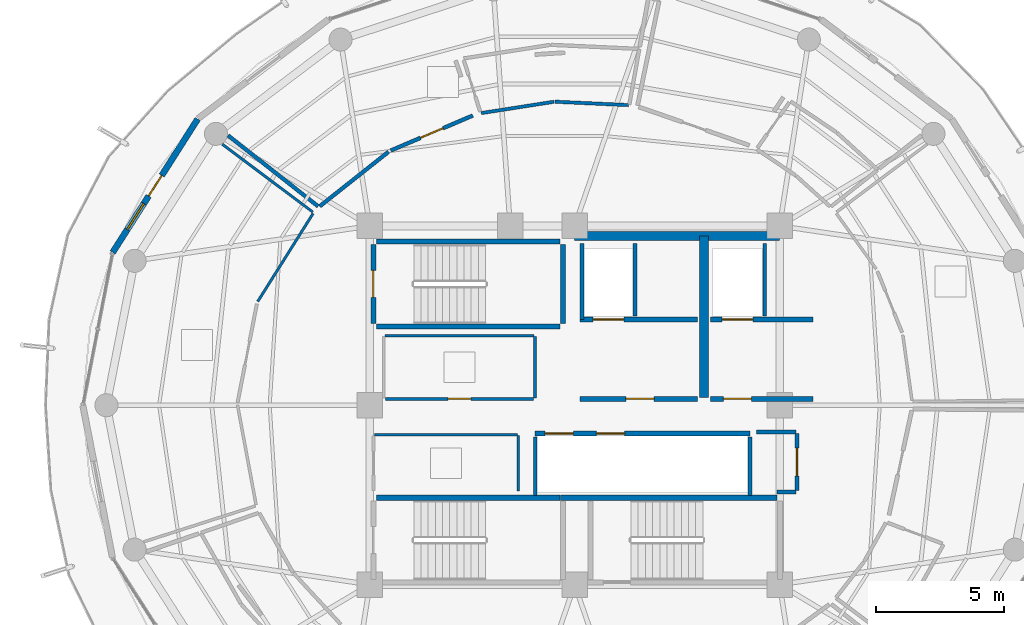
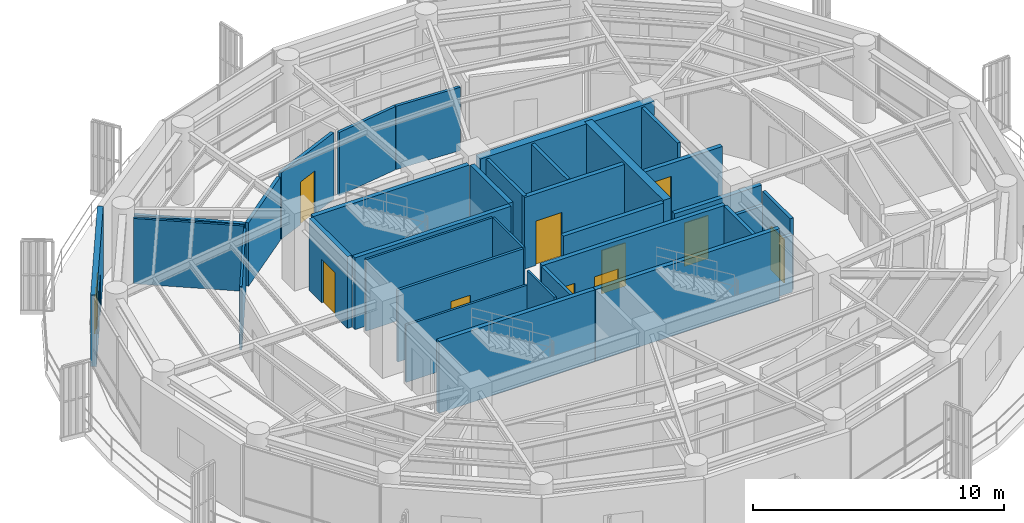
# One storey, part 16 of 22: 34 walls, 11 doors, 1 window, 12 openings.
"""IFC4 building model written with IfcOpenShell, lengths in metres."""

import ifcopenshell
import ifcopenshell.guid

model = None  # the IFC model being written
_history = None  # IfcOwnerHistory: only IFC2X3 demands one
_inside = {}  # id of a spatial element -> (the spatial element, [elements in it])
_under = {}  # id of a project, library or spatial element -> (it, [spatial elements below it])
_declared = {}  # id of a project -> (the project, [libraries it declares])
_typed = {}  # id of a type object -> (the type object, [elements of that type])
_made_of = {}  # id of a material, layer set ... -> (it, [elements and type objects made of it])


def new_model(schema):
    """Start an empty IFC model of exactly this schema.

    Asked for "IFC4X3", IfcOpenShell would pick the latest addendum, in which some entities
    have other attributes; the version numbers below select the first issue.
    IFC2X3 requires an IfcOwnerHistory on every rooted entity: one is made here for all.
    """
    global model, _history
    if schema == "IFC4X3":
        model = ifcopenshell.file(schema_version=(4, 3, 0, 0))
    else:
        model = ifcopenshell.file(schema=schema)
    _inside.clear()
    _under.clear()
    _declared.clear()
    _typed.clear()
    _made_of.clear()
    _history = None
    if model.schema == "IFC2X3":
        org = make("IfcOrganization", Name="unknown")
        user = make(
            "IfcPersonAndOrganization",
            ThePerson=make("IfcPerson", FamilyName="unknown"),
            TheOrganization=org,
        )
        app = make(
            "IfcApplication",
            ApplicationDeveloper=org,
            Version="unknown",
            ApplicationFullName="unknown",
            ApplicationIdentifier="unknown",
        )
        _history = make(
            "IfcOwnerHistory",
            OwningUser=user,
            OwningApplication=app,
            ChangeAction="ADDED",
            CreationDate=0,
        )
    return model


def make(cls, **values):
    """One entity of the class cls with the attributes given. An attribute that is None is left unset."""
    return model.create_entity(
        cls, **{name: value for name, value in values.items() if value is not None}
    )


def rooted(cls, **values):
    """An entity with a GlobalId (a new one), such as an element, a storey or a relation."""
    return make(cls, GlobalId=ifcopenshell.guid.new(), OwnerHistory=_history, **values)


def si_unit(unit_type, name, prefix=None):
    """IfcSIUnit, for example si_unit("LENGTHUNIT", "METRE", prefix="MILLI")."""
    return make("IfcSIUnit", UnitType=unit_type, Prefix=prefix, Name=name)


def assignment(units):
    """IfcUnitAssignment: the units of a project."""
    return None if units is None else make("IfcUnitAssignment", Units=units)


def point(xyz):
    """IfcCartesianPoint."""
    return None if xyz is None else make("IfcCartesianPoint", Coordinates=xyz)


def direction(xyz):
    """IfcDirection."""
    return None if xyz is None else make("IfcDirection", DirectionRatios=xyz)


def frame(location, z_axis=None, x_axis=None):
    """IfcAxis2Placement3D, a coordinate frame: its origin and axes. An axis left out is left unset."""
    return make(
        "IfcAxis2Placement3D",
        Location=point(location),
        Axis=direction(z_axis),
        RefDirection=direction(x_axis),
    )


def frame_2d(location, x_axis=None):
    """IfcAxis2Placement2D, a coordinate frame in the plane: its origin and x axis."""
    return make(
        "IfcAxis2Placement2D", Location=point(location), RefDirection=direction(x_axis)
    )


def origin():
    """The frame at (0, 0, 0) with its axes left unset."""
    return frame((0.0, 0.0, 0.0))


def place(relative_to, where):
    """IfcLocalPlacement: puts the frame where relative to a parent placement (None: the world)."""
    return make(
        "IfcLocalPlacement", PlacementRelTo=relative_to, RelativePlacement=where
    )


def context(
    kind, dimensions, precision=None, world=None, true_north=None, identifier=None
):
    """IfcGeometricRepresentationContext, for example the 3D "Model" context."""
    return make(
        "IfcGeometricRepresentationContext",
        ContextIdentifier=identifier,
        ContextType=kind,
        CoordinateSpaceDimension=dimensions,
        Precision=precision,
        WorldCoordinateSystem=world,
        TrueNorth=true_north,
    )


def subcontext(parent, identifier, kind, view, scale=None):
    """IfcGeometricRepresentationSubContext, for example "Body" below "Model"."""
    return make(
        "IfcGeometricRepresentationSubContext",
        ContextIdentifier=identifier,
        ContextType=kind,
        ParentContext=parent,
        TargetScale=scale,
        TargetView=view,
    )


def project(units=None, contexts=None):
    """IfcProject with its units and contexts."""
    return rooted(
        "IfcProject",
        Name="project",
        RepresentationContexts=contexts,
        UnitsInContext=assignment(units),
    )


def spatial(cls, under=None, at=None, **own):
    """A site, building, storey or space (cls), placed at a placement, below another one or the project."""
    s = rooted(cls, ObjectPlacement=at, **own)
    if under is not None:
        _under.setdefault(under.id(), (under, []))[1].append(s)
    return s


def profile(cls, at=None, kind="AREA", **sizes):
    """A parametric profile (cls). Its sizes go by their IFC names, for example OverallWidth=200.0."""
    return make(cls, ProfileType=kind, Position=at, **sizes)


def rectangle(**sizes):
    """IfcRectangleProfileDef."""
    return profile("IfcRectangleProfileDef", **sizes)


def extrude(swept, where, along, depth):
    """IfcExtrudedAreaSolid: the profile swept, set in the frame where, extruded along a direction by depth."""
    return make(
        "IfcExtrudedAreaSolid",
        SweptArea=swept,
        Position=where,
        ExtrudedDirection=direction(along),
        Depth=depth,
    )


def shape(context_of_items, identifier, shape_type, items):
    """IfcShapeRepresentation: the items that make up one representation, for example the "Body"."""
    return make(
        "IfcShapeRepresentation",
        ContextOfItems=context_of_items,
        RepresentationIdentifier=identifier,
        RepresentationType=shape_type,
        Items=items,
    )


def material(Name=None, Category=None):
    """IfcMaterial."""
    return make("IfcMaterial", Name=Name, Category=Category)


def layer(
    of_material, thickness, ventilated=None, Name=None, Category=None, Priority=None
):
    """IfcMaterialLayer: one layer of a wall or slab, of a material (None: an air gap)."""
    return make(
        "IfcMaterialLayer",
        Material=of_material,
        LayerThickness=thickness,
        IsVentilated=ventilated,
        Name=Name,
        Category=Category,
        Priority=Priority,
    )


def layer_set(layers, Name=None):
    """IfcMaterialLayerSet."""
    return make("IfcMaterialLayerSet", MaterialLayers=layers, LayerSetName=Name)


def made_of(thing, what):
    """Note that an element or type object is made of a material, layer set ...; save() writes the relation."""
    if what is not None:
        _made_of.setdefault(what.id(), (what, []))[1].append(thing)
    return thing


def type_object(cls, material=None, **own):
    """A type object (cls), such as IfcWallType, which elements share."""
    return made_of(rooted(cls, **own), material)


def element(
    cls,
    number,
    at=None,
    inside=None,
    cuts=None,
    type_object=None,
    material=None,
    context=None,
    identifier="Body",
    shape_type=None,
    held_by="IfcProductDefinitionShape",
    body=None,
    shapes=None,
    **own,
):
    """One element of the class cls, such as IfcWall. Its Tag is "e" and its number.

    at: its placement. inside: the storey or other place that contains it. cuts: it is an
    opening in that element (IfcRelVoidsElement). A single representation is given by context,
    identifier, shape_type and body (its items); several are given by shapes. held_by: the class
    of the entity that holds the representations. save() writes the other relations.
    """
    e = rooted(cls, Tag="e%d" % number, ObjectPlacement=at, **own)
    if body is not None:
        shapes = [shape(context, identifier, shape_type, body)]
    if shapes is not None:
        e.Representation = make(held_by, Representations=shapes)
    if inside is not None:
        _inside.setdefault(inside.id(), (inside, []))[1].append(e)
    if cuts is not None:
        rooted(
            "IfcRelVoidsElement", RelatingBuildingElement=cuts, RelatedOpeningElement=e
        )
    if type_object is not None:
        _typed.setdefault(type_object.id(), (type_object, []))[1].append(e)
    return made_of(e, material)


def fill(opening, filler):
    """IfcRelFillsElement: the door or window that sits in an opening."""
    return rooted(
        "IfcRelFillsElement",
        RelatingOpeningElement=opening,
        RelatedBuildingElement=filler,
    )


def aggregate(whole, parts):
    """IfcRelAggregates: a whole, such as a stair, and the parts it consists of."""
    return rooted("IfcRelAggregates", RelatingObject=whole, RelatedObjects=parts)


def save(model, path):
    """Write the relations noted so far, then the file.

    IfcRelAggregates (storeys below a building ...), IfcRelContainedInSpatialStructure (elements
    in a storey), IfcRelDefinesByType, IfcRelAssociatesMaterial and IfcRelDeclares: one each for
    every whole, place, type object, material and project.
    """
    for whole, parts in _under.values():
        aggregate(whole, parts)
    for where, things in _inside.values():
        rooted(
            "IfcRelContainedInSpatialStructure",
            RelatedElements=things,
            RelatingStructure=where,
        )
    for kind, things in _typed.values():
        rooted("IfcRelDefinesByType", RelatedObjects=things, RelatingType=kind)
    for what, things in _made_of.values():
        rooted("IfcRelAssociatesMaterial", RelatedObjects=things, RelatingMaterial=what)
    for by, libraries in _declared.values():
        rooted("IfcRelDeclares", RelatingContext=by, RelatedDefinitions=libraries)
    model.write(path)


model = new_model("IFC4")

# Units and contexts
model_context = context("Model", 3, precision=1e-05, world=origin(), true_north=direction((0.0, 1.0)))
body_context = subcontext(model_context, "Body", "Model", "MODEL_VIEW")
ifc_project = project(units=[si_unit("LENGTHUNIT", "METRE"), si_unit("AREAUNIT", "SQUARE_METRE"), si_unit("VOLUMEUNIT", "CUBIC_METRE"), si_unit("PLANEANGLEUNIT", "RADIAN"), si_unit("MASSUNIT", "GRAM", prefix="KILO")], contexts=[model_context])

# Site, building, storey
site_placement = place(None, origin())
site = spatial("IfcSite", under=ifc_project, at=site_placement, CompositionType="ELEMENT")
building_placement = place(site_placement, origin())
building = spatial("IfcBuilding", under=site, at=building_placement, Name="Kelanora Arch Commons", CompositionType="ELEMENT")
storey_placement = place(building_placement, frame((0.0, 0.0, 274.949951171875)))
storey = spatial("IfcBuildingStorey", under=building, at=storey_placement, Name="L70", CompositionType="ELEMENT", Elevation=274.949951171875)

# Walls
ifc_material_1 = material(Name="Autoclaved aerated concrete blockwork with fire plaster", Category="masonry")
ifc_layer_1 = layer(ifc_material_1, 0.14990234375)
ifc_layer_set_1 = layer_set([ifc_layer_1], Name="Autoclaved aerated concrete blockwork with fire plaster")
wall_type_1 = type_object("IfcWallType", Name="W-COMP-150", PredefinedType="PARTITIONING", material=ifc_layer_set_1)
wall_1_placement = place(storey_placement, frame((74.280029296875, 61.35009765625, 0.0), z_axis=(0.0, 0.0, 1.0), x_axis=(0.0, 1.0, 0.0)))
element("IfcWall", 1, at=wall_1_placement, inside=storey, type_object=wall_type_1, Name="Firefighting Lift 1 West Shaft Wall L70", PredefinedType="PARTITIONING", context=body_context, shape_type="SweptSolid", body=[
    extrude(rectangle(XDim=2.969970703125, YDim=0.14990234375, at=frame_2d((1.48486328125, 0.0))), origin(), (0.0, 0.0, 1.0), 3.47998046875),
])
for number, where, z_axis, x_axis, name in (
    (2, (76.360107421875, 61.47998046875, 0.0), (0.0, 0.0, 1.0), (0.0, 1.0, 0.0), "Firefighting Lift 1 East Shaft Wall L70"),
    (3, (81.419921875, 61.47998046875, 0.0), (0.0, 0.0, 1.0), (0.0, 1.0, 0.0), "Firefighting Lift 2 East Shaft Wall L70"),
):
    element("IfcWall", number, at=place(storey_placement, frame(where, z_axis=z_axis, x_axis=x_axis)), inside=storey, type_object=wall_type_1, Name=name, PredefinedType="PARTITIONING", context=body_context, shape_type="SweptSolid", body=[
        extrude(rectangle(XDim=2.840087890625, YDim=0.14990234375, at=frame_2d((1.419921875, 0.0))), origin(), (0.0, 0.0, 1.0), 3.47998046875),
    ])
for number, where, z_axis, x_axis, name in (
    (4, (72.4599609375, 54.47998046875, 0.0), (0.0, 0.0, 1.0), (0.0, 1.0, 0.0), "South Lift Bank West Wall L70"),
    (5, (80.840087890625, 54.47998046875, 0.0), (0.0, 0.0, 1.0), (0.0, 1.0, 0.0), "South Lift Bank East Wall L70"),
):
    element("IfcWall", number, at=place(storey_placement, frame(where, z_axis=z_axis, x_axis=x_axis)), inside=storey, type_object=wall_type_1, Name=name, PredefinedType="PARTITIONING", context=body_context, shape_type="SweptSolid", body=[
        extrude(rectangle(XDim=2.2900390625, YDim=0.14990234375, at=frame_2d((1.14501953125, 0.0))), origin(), (0.0, 0.0, 1.0), 3.47998046875),
    ])

# Wall, opening, door
wall_2_placement = place(storey_placement, frame((82.679931640625, 54.679931640625, 0.0), z_axis=(0.0, 0.0, 1.0), x_axis=(0.0, 1.0, 0.0)))
wall_2 = element("IfcWall", 6, at=wall_2_placement, inside=storey, type_object=wall_type_1, Name="Core Housekeeping Store L70 Entry Partition", PredefinedType="PARTITIONING", context=body_context, shape_type="SweptSolid", body=[
    extrude(rectangle(XDim=2.2099609375, YDim=0.14990234375, at=frame_2d((1.10498046875, 0.0))), origin(), (0.0, 0.0, 1.0), 3.47998046875),
])
opening_1_placement = place(wall_2_placement, frame((0.56494140625, 0.0, 0.0)))
opening_1 = element("IfcOpeningElement", 7, at=opening_1_placement, cuts=wall_2, Name="Opening D-PLT1", PredefinedType="OPENING", context=body_context, shape_type="SweptSolid", body=[
    extrude(rectangle(XDim=1.080078125, YDim=2.10009765625, at=frame_2d((0.5400390625, 1.050048828125))), frame((0.0, 0.0849609375, 0.0), z_axis=(0.0, -1.0, 0.0), x_axis=(1.0, 0.0, 0.0)), (0.0, 0.0, 1.0), 0.169921875),
])
ifc_material_2 = material(Name="Galvanised steel plant and riser fire door", Category="steel")
door_type_1 = type_object("IfcDoorType", Name="D-PLT-110", OperationType="NOTDEFINED", PredefinedType="DOOR", material=ifc_material_2)
door_1_placement = place(opening_1_placement, origin())
door_1 = element("IfcDoor", 8, at=door_1_placement, inside=storey, type_object=door_type_1, Name="Core Housekeeping Store L70 Door", OperationType="SINGLE_SWING_RIGHT", OverallHeight=2.10009765625, OverallWidth=1.080078125, PredefinedType="DOOR", context=body_context, shape_type="SweptSolid", body=[
    extrude(rectangle(XDim=1.080078125, YDim=2.10009765625, at=frame_2d((0.5400390625, 1.050048828125))), frame((0.0, 0.02490234375, 0.0), z_axis=(0.0, -1.0, 0.0), x_axis=(1.0, 0.0, 0.0)), (0.0, 0.0, 1.0), 0.050048828125),
])
fill(opening_1, door_1)

wall_3_placement = place(storey_placement, frame((70.020751953125, 69.3076171875, 0.0), z_axis=(0.0, 0.0, 1.0), x_axis=(-0.919764656354, -0.392470351647, 0.0)))
wall_3 = element("IfcWall", 9, at=wall_3_placement, inside=storey, type_object=wall_type_1, Name="Co-Living Studio L70-05 Entry Partition", PredefinedType="PARTITIONING", context=body_context, shape_type="SweptSolid", body=[
    extrude(rectangle(XDim=3.478515625, YDim=0.14990234375, at=frame_2d((1.7392578125, 0.0))), origin(), (0.0, 0.0, 1.0), 3.235107421875),
])
opening_2_placement = place(wall_3_placement, frame((1.263916015625, 0.0, 0.0)))
opening_2 = element("IfcOpeningElement", 10, at=opening_2_placement, cuts=wall_3, Name="Opening D-CLU1", PredefinedType="OPENING", context=body_context, shape_type="SweptSolid", body=[
    extrude(rectangle(XDim=0.949951171875, YDim=2.080078125, at=frame_2d((0.47509765625, 1.0400390625))), frame((0.0, 0.0849609375, 0.0), z_axis=(0.0, -1.0, 0.0), x_axis=(1.0, 0.0, 0.0)), (0.0, 0.0, 1.0), 0.169921875),
])
ifc_material_3 = material(Name="Solid-core acoustic timber cluster entry fire door", Category="wood")
door_type_2 = type_object("IfcDoorType", Name="D-CLU-95", OperationType="NOTDEFINED", PredefinedType="DOOR", material=ifc_material_3)
door_2_placement = place(opening_2_placement, origin())
door_2 = element("IfcDoor", 11, at=door_2_placement, inside=storey, type_object=door_type_2, Name="Co-Living Studio L70-05 Door", OperationType="SINGLE_SWING_RIGHT", OverallHeight=2.080078125, OverallWidth=0.949951171875, PredefinedType="DOOR", context=body_context, shape_type="SweptSolid", body=[
    extrude(rectangle(XDim=0.949951171875, YDim=2.080078125, at=frame_2d((0.47509765625, 1.0400390625))), frame((0.0, 0.02490234375, 0.0), z_axis=(0.0, -1.0, 0.0), x_axis=(1.0, 0.0, 0.0)), (0.0, 0.0, 1.0), 0.050048828125),
])
fill(opening_2, door_2)

# Walls
wall_4_placement = place(storey_placement, frame((81.89990234375, 54.6201171875, 0.0), z_axis=(0.0, 0.0, 1.0), x_axis=(1.0, 0.0, 0.0)))
element("IfcWall", 12, at=wall_4_placement, inside=storey, type_object=wall_type_1, Name="Core Housekeeping Store L70 Enclosure Partition 1", PredefinedType="PARTITIONING", context=body_context, shape_type="SweptSolid", body=[
    extrude(rectangle(XDim=0.739990234375, YDim=0.14990234375, at=frame_2d((0.3701171875, 0.0))), origin(), (0.0, 0.0, 1.0), 2.775146484375),
])
wall_5_placement = place(storey_placement, frame((82.639892578125, 56.949951171875, 0.0), z_axis=(0.0, 0.0, 1.0), x_axis=(-1.0, 0.0, 0.0)))
element("IfcWall", 13, at=wall_5_placement, inside=storey, type_object=wall_type_1, Name="Core Housekeeping Store L70 Enclosure Partition 3", PredefinedType="PARTITIONING", context=body_context, shape_type="SweptSolid", body=[
    extrude(rectangle(XDim=1.5498046875, YDim=0.14990234375, at=frame_2d((0.77490234375, 0.0))), origin(), (0.0, 0.0, 1.0), 2.775146484375),
])
wall_6_placement = place(storey_placement, frame((66.734619140625, 67.894287109375, 0.0), z_axis=(0.0, 0.0, 1.0), x_axis=(-0.78387401132, -0.620919909793, 0.0)))
element("IfcWall", 14, at=wall_6_placement, inside=storey, type_object=wall_type_1, Name="Co-Living Studio L70-05 Enclosure Partition 2", PredefinedType="PARTITIONING", context=body_context, shape_type="SweptSolid", body=[
    extrude(rectangle(XDim=3.429443359375, YDim=0.14990234375, at=frame_2d((1.71484375, 0.0))), origin(), (0.0, 0.0, 1.0), 3.074951171875),
])
wall_7_placement = place(storey_placement, frame((63.983642578125, 65.7646484375, 0.0), z_axis=(0.0, 0.0, 1.0), x_axis=(-0.785736749878, 0.618561039745, 0.0)))
element("IfcWall", 15, at=wall_7_placement, inside=storey, type_object=wall_type_1, Name="Co-Living Studio L70-05 Enclosure Partition 3", PredefinedType="PARTITIONING", context=body_context, shape_type="SweptSolid", body=[
    extrude(rectangle(XDim=4.474609375, YDim=0.14990234375, at=frame_2d((2.2373046875, 0.0))), origin(), (0.0, 0.0, 1.0), 3.074951171875),
])
ifc_material_4 = material(Name="Concrete C50/60", Category="concrete")
ifc_layer_2 = layer(ifc_material_4, 0.35009765625)
ifc_layer_set_2 = layer_set([ifc_layer_2], Name="Concrete C50/60")
wall_type_2 = type_object("IfcWallType", Name="W-CORE-350", PredefinedType="SHEAR", material=ifc_layer_set_2)
wall_8_placement = place(storey_placement, frame((74.0, 64.60009765625, 0.0), z_axis=(0.0, 0.0, 1.0), x_axis=(1.0, 0.0, 0.0)))
element("IfcWall", 16, at=wall_8_placement, inside=storey, type_object=wall_type_2, Name="Core Shear Spine L70-CN-E", PredefinedType="SHEAR", context=body_context, shape_type="SweptSolid", body=[
    extrude(rectangle(XDim=8.0, YDim=0.35009765625, at=frame_2d((4.0, 0.0))), origin(), (0.0, 0.0, 1.0), 3.489990234375),
])
wall_9_placement = place(storey_placement, frame((79.050048828125, 58.300048828125, 0.0), z_axis=(0.0, 0.0, 1.0), x_axis=(0.0, 1.0, 0.0)))
element("IfcWall", 17, at=wall_9_placement, inside=storey, type_object=wall_type_2, Name="Core Shear Spine L70-CE-N", PredefinedType="SHEAR", context=body_context, shape_type="SweptSolid", body=[
    extrude(rectangle(XDim=6.300048828125, YDim=0.35009765625, at=frame_2d((3.14990234375, 0.0))), origin(), (0.0, 0.0, 1.0), 3.489990234375),
])

# Wall, openings, door, window
ifc_material_5 = material(Name="Precast concrete C40/50 upper-zone terracotta rainscreen", Category="masonry")
ifc_layer_3 = layer(ifc_material_5, 0.239990234375)
ifc_layer_set_3 = layer_set([ifc_layer_3], Name="Precast concrete C40/50 upper-zone terracotta rainscreen")
wall_type_3 = type_object("IfcWallType", Name="W-EXT-TC2", PredefinedType="SOLIDWALL", material=ifc_layer_set_3)
wall_10_placement = place(storey_placement, frame((59.28369140625, 69.171875, 0.0), z_axis=(0.0, 0.0, 1.0), x_axis=(-0.537271968456, -0.843409053728, 0.0)))
wall_10 = element("IfcWall", 18, at=wall_10_placement, inside=storey, type_object=wall_type_3, Name="Terracotta Exterior Wall L70-B07", PredefinedType="SOLIDWALL", context=body_context, shape_type="SweptSolid", body=[
    extrude(rectangle(XDim=6.175048828125, YDim=0.239990234375, at=frame_2d((3.08740234375, 0.0))), origin(), (0.0, 0.0, 1.0), 3.47509765625),
])
opening_3_placement = place(wall_10_placement, frame((2.613037109375, 0.0, 0.0)))
opening_3 = element("IfcOpeningElement", 19, at=opening_3_placement, cuts=wall_10, Name="Opening DB-01", PredefinedType="OPENING", context=body_context, shape_type="SweptSolid", body=[
    extrude(rectangle(XDim=0.949951171875, YDim=2.10009765625, at=frame_2d((0.47509765625, 1.050048828125))), frame((0.0, 0.1298828125, 0.0), z_axis=(0.0, -1.0, 0.0), x_axis=(1.0, 0.0, 0.0)), (0.0, 0.0, 1.0), 0.260009765625),
])
opening_4_placement = place(wall_10_placement, frame((3.9130859375, 0.0, 0.85009765625)))
opening_4 = element("IfcOpeningElement", 20, at=opening_4_placement, cuts=wall_10, Name="Opening WN-02", PredefinedType="OPENING", context=body_context, shape_type="SweptSolid", body=[
    extrude(rectangle(XDim=1.199951171875, YDim=1.449951171875, at=frame_2d((0.60009765625, 0.72509765625))), frame((0.0, 0.1298828125, 0.0), z_axis=(0.0, -1.0, 0.0), x_axis=(1.0, 0.0, 0.0)), (0.0, 0.0, 1.0), 0.260009765625),
])
ifc_material_6 = material(Name="Terracotta-aluminium thermally broken glazed balcony door", Category="masonry")
door_type_3 = type_object("IfcDoorType", Name="D-BAL-10", OperationType="NOTDEFINED", PredefinedType="DOOR", material=ifc_material_6)
door_3_placement = place(opening_3_placement, frame((0.949951171875, 0.0, 0.0), z_axis=(0.0, 0.0, 1.0), x_axis=(-1.0, 0.0, 0.0)))
door_3 = element("IfcDoor", 21, at=door_3_placement, inside=storey, type_object=door_type_3, Name="Wave Balcony Door L70-B07", OperationType="SINGLE_SWING_RIGHT", OverallHeight=2.10009765625, OverallWidth=0.949951171875, PredefinedType="DOOR", context=body_context, shape_type="SweptSolid", body=[
    extrude(rectangle(XDim=0.949951171875, YDim=2.10009765625, at=frame_2d((0.47509765625, 1.050048828125))), frame((0.0, 0.02490234375, 0.0), z_axis=(0.0, -1.0, 0.0), x_axis=(1.0, 0.0, 0.0)), (0.0, 0.0, 1.0), 0.050048828125),
])
fill(opening_3, door_3)
ifc_material_7 = material(Name="Terracotta-anodised aluminium frame with operable awning sash", Category="masonry")
window_type = type_object("IfcWindowType", Name="WIN-CL-12", PartitioningType="SINGLE_PANEL", PredefinedType="WINDOW", material=ifc_material_7)
window_placement = place(opening_4_placement, origin())
window = element("IfcWindow", 22, at=window_placement, inside=storey, type_object=window_type, Name="Co-Living Operable Window L70-B07", OverallHeight=1.449951171875, OverallWidth=1.199951171875, PartitioningType="SINGLE_PANEL", PredefinedType="WINDOW", context=body_context, shape_type="SweptSolid", body=[
    extrude(rectangle(XDim=1.199951171875, YDim=1.449951171875, at=frame_2d((0.60009765625, 0.72509765625))), frame((0.0, 0.030029296875, 0.0), z_axis=(0.0, -1.0, 0.0), x_axis=(1.0, 0.0, 0.0)), (0.0, 0.0, 1.0), 0.06005859375),
])
fill(opening_4, window)

# Wall, opening, door
ifc_material_8 = material(Name="Concrete C40/50", Category="concrete")
ifc_layer_4 = layer(ifc_material_8, 0.199951171875)
ifc_layer_set_4 = layer_set([ifc_layer_4], Name="Concrete C40/50")
wall_type_4 = type_object("IfcWallType", Name="W-FFL-200", PredefinedType="SOLIDWALL", material=ifc_layer_set_4)
wall_11_placement = place(storey_placement, frame((74.199951171875, 61.35009765625, 0.0), z_axis=(0.0, 0.0, 1.0), x_axis=(1.0, 0.0, 0.0)))
wall_11 = element("IfcWall", 23, at=wall_11_placement, inside=storey, type_object=wall_type_4, Name="Firefighting Lift 1 Shaft Front L70", PredefinedType="SOLIDWALL", context=body_context, shape_type="SweptSolid", body=[
    extrude(rectangle(XDim=4.60009765625, YDim=0.199951171875, at=frame_2d((2.300048828125, 0.0))), origin(), (0.0, 0.0, 1.0), 3.47998046875),
])
opening_5_placement = place(wall_11_placement, frame((0.52001953125, 0.0, 0.0)))
opening_5 = element("IfcOpeningElement", 24, at=opening_5_placement, cuts=wall_11, Name="Opening LD-FF", PredefinedType="OPENING", context=body_context, shape_type="SweptSolid", body=[
    extrude(rectangle(XDim=1.199951171875, YDim=2.14990234375, at=frame_2d((0.60009765625, 1.074951171875))), frame((0.0, 0.10986328125, 0.0), z_axis=(0.0, -1.0, 0.0), x_axis=(1.0, 0.0, 0.0)), (0.0, 0.0, 1.0), 0.219970703125),
])
ifc_material_9 = material(Name="Fire-rated firefighters lift sliding landing door")
door_type_4 = type_object("IfcDoorType", Name="D-LIFT-FF", OperationType="NOTDEFINED", PredefinedType="DOOR", material=ifc_material_9)
door_4_placement = place(opening_5_placement, origin())
door_4 = element("IfcDoor", 25, at=door_4_placement, inside=storey, type_object=door_type_4, Name="Firefighting Lift LF-FF1 Landing Door L70", OperationType="DOUBLE_DOOR_SLIDING", OverallHeight=2.14990234375, OverallWidth=1.199951171875, PredefinedType="DOOR", context=body_context, shape_type="SweptSolid", body=[
    extrude(rectangle(XDim=1.199951171875, YDim=2.14990234375, at=frame_2d((0.60009765625, 1.074951171875))), frame((0.0, 0.02490234375, 0.0), z_axis=(0.0, -1.0, 0.0), x_axis=(1.0, 0.0, 0.0)), (0.0, 0.0, 1.0), 0.050048828125),
])
fill(opening_5, door_4)

wall_12_placement = place(storey_placement, frame((79.300048828125, 61.35009765625, 0.0), z_axis=(0.0, 0.0, 1.0), x_axis=(1.0, 0.0, 0.0)))
wall_12 = element("IfcWall", 26, at=wall_12_placement, inside=storey, type_object=wall_type_4, Name="Firefighting Lift 2 Shaft Front L70", PredefinedType="SOLIDWALL", context=body_context, shape_type="SweptSolid", body=[
    extrude(rectangle(XDim=4.0, YDim=0.199951171875, at=frame_2d((2.0, 0.0))), origin(), (0.0, 0.0, 1.0), 2.775146484375),
])
opening_6_placement = place(wall_12_placement, frame((0.449951171875, 0.0, 0.0)))
opening_6 = element("IfcOpeningElement", 27, at=opening_6_placement, cuts=wall_12, Name="Opening LD-FF", PredefinedType="OPENING", context=body_context, shape_type="SweptSolid", body=[
    extrude(rectangle(XDim=1.199951171875, YDim=2.14990234375, at=frame_2d((0.60009765625, 1.074951171875))), frame((0.0, 0.10986328125, 0.0), z_axis=(0.0, -1.0, 0.0), x_axis=(1.0, 0.0, 0.0)), (0.0, 0.0, 1.0), 0.219970703125),
])
door_5_placement = place(opening_6_placement, origin())
door_5 = element("IfcDoor", 28, at=door_5_placement, inside=storey, type_object=door_type_4, Name="Firefighting Lift LF-FF2 Landing Door L70", OperationType="DOUBLE_DOOR_SLIDING", OverallHeight=2.14990234375, OverallWidth=1.199951171875, PredefinedType="DOOR", context=body_context, shape_type="SweptSolid", body=[
    extrude(rectangle(XDim=1.199951171875, YDim=2.14990234375, at=frame_2d((0.60009765625, 1.074951171875))), frame((0.0, 0.02490234375, 0.0), z_axis=(0.0, -1.0, 0.0), x_axis=(1.0, 0.0, 0.0)), (0.0, 0.0, 1.0), 0.050048828125),
])
fill(opening_6, door_5)

wall_13_placement = place(storey_placement, frame((74.199951171875, 58.25, 0.0), z_axis=(0.0, 0.0, 1.0), x_axis=(1.0, 0.0, 0.0)))
wall_13 = element("IfcWall", 29, at=wall_13_placement, inside=storey, type_object=wall_type_4, Name="Firefighting Lobby 1 Enclosure Wall L70", PredefinedType="SOLIDWALL", context=body_context, shape_type="SweptSolid", body=[
    extrude(rectangle(XDim=4.60009765625, YDim=0.199951171875, at=frame_2d((2.300048828125, 0.0))), origin(), (0.0, 0.0, 1.0), 3.47998046875),
])
opening_7_placement = place(wall_13_placement, frame((1.800048828125, 0.0, 0.0)))
opening_7 = element("IfcOpeningElement", 30, at=opening_7_placement, cuts=wall_13, Name="Opening D-FFL1", PredefinedType="OPENING", context=body_context, shape_type="SweptSolid", body=[
    extrude(rectangle(XDim=1.10009765625, YDim=2.10009765625, at=frame_2d((0.550048828125, 1.050048828125))), frame((0.0, 0.10986328125, 0.0), z_axis=(0.0, -1.0, 0.0), x_axis=(1.0, 0.0, 0.0)), (0.0, 0.0, 1.0), 0.219970703125),
])
ifc_material_10 = material(Name="Smoke-sealed firefighting lobby fire door")
door_type_5 = type_object("IfcDoorType", Name="D-FFL-110", OperationType="NOTDEFINED", PredefinedType="DOOR", material=ifc_material_10)
door_6_placement = place(opening_7_placement, frame((1.10009765625, 0.0, 0.0), z_axis=(0.0, 0.0, 1.0), x_axis=(-1.0, 0.0, 0.0)))
door_6 = element("IfcDoor", 31, at=door_6_placement, inside=storey, type_object=door_type_5, Name="Firefighting Lobby 1 Door L70", OperationType="SINGLE_SWING_LEFT", OverallHeight=2.10009765625, OverallWidth=1.10009765625, PredefinedType="DOOR", context=body_context, shape_type="SweptSolid", body=[
    extrude(rectangle(XDim=1.10009765625, YDim=2.10009765625, at=frame_2d((0.550048828125, 1.050048828125))), frame((0.0, 0.02490234375, 0.0), z_axis=(0.0, -1.0, 0.0), x_axis=(1.0, 0.0, 0.0)), (0.0, 0.0, 1.0), 0.050048828125),
])
fill(opening_7, door_6)

wall_14_placement = place(storey_placement, frame((79.300048828125, 58.25, 0.0), z_axis=(0.0, 0.0, 1.0), x_axis=(1.0, 0.0, 0.0)))
wall_14 = element("IfcWall", 32, at=wall_14_placement, inside=storey, type_object=wall_type_4, Name="Firefighting Lobby 2 Enclosure Wall L70", PredefinedType="SOLIDWALL", context=body_context, shape_type="SweptSolid", body=[
    extrude(rectangle(XDim=4.0, YDim=0.199951171875, at=frame_2d((2.0, 0.0))), origin(), (0.0, 0.0, 1.0), 2.775146484375),
])
opening_8_placement = place(wall_14_placement, frame((0.5, 0.0, 0.0)))
opening_8 = element("IfcOpeningElement", 33, at=opening_8_placement, cuts=wall_14, Name="Opening D-FFL1", PredefinedType="OPENING", context=body_context, shape_type="SweptSolid", body=[
    extrude(rectangle(XDim=1.10009765625, YDim=2.10009765625, at=frame_2d((0.550048828125, 1.050048828125))), frame((0.0, 0.10986328125, 0.0), z_axis=(0.0, -1.0, 0.0), x_axis=(1.0, 0.0, 0.0)), (0.0, 0.0, 1.0), 0.219970703125),
])
door_7_placement = place(opening_8_placement, frame((1.10009765625, 0.0, 0.0), z_axis=(0.0, 0.0, 1.0), x_axis=(-1.0, 0.0, 0.0)))
door_7 = element("IfcDoor", 34, at=door_7_placement, inside=storey, type_object=door_type_5, Name="Firefighting Lobby 2 Door L70", OperationType="SINGLE_SWING_RIGHT", OverallHeight=2.10009765625, OverallWidth=1.10009765625, PredefinedType="DOOR", context=body_context, shape_type="SweptSolid", body=[
    extrude(rectangle(XDim=1.10009765625, YDim=2.10009765625, at=frame_2d((0.550048828125, 1.050048828125))), frame((0.0, 0.02490234375, 0.0), z_axis=(0.0, -1.0, 0.0), x_axis=(1.0, 0.0, 0.0)), (0.0, 0.0, 1.0), 0.050048828125),
])
fill(opening_8, door_7)

# Wall, openings, doors
wall_15_placement = place(storey_placement, frame((72.449951171875, 56.89990234375, 0.0), z_axis=(0.0, 0.0, 1.0), x_axis=(1.0, 0.0, 0.0)))
wall_15 = element("IfcWall", 35, at=wall_15_placement, inside=storey, type_object=wall_type_4, Name="Mid/High/Express Lift Shaft Front L70", PredefinedType="SOLIDWALL", context=body_context, shape_type="SweptSolid", body=[
    extrude(rectangle(XDim=8.400146484375, YDim=0.199951171875, at=frame_2d((4.2001953125, 0.0))), origin(), (0.0, 0.0, 1.0), 3.47998046875),
])
opening_9_placement = place(wall_15_placement, frame((0.39990234375, 0.0, 0.0)))
opening_9 = element("IfcOpeningElement", 36, at=opening_9_placement, cuts=wall_15, Name="Opening LD-01", PredefinedType="OPENING", context=body_context, shape_type="SweptSolid", body=[
    extrude(rectangle(XDim=1.10009765625, YDim=2.10009765625, at=frame_2d((0.550048828125, 1.050048828125))), frame((0.0, 0.10986328125, 0.0), z_axis=(0.0, -1.0, 0.0), x_axis=(1.0, 0.0, 0.0)), (0.0, 0.0, 1.0), 0.219970703125),
])
opening_10_placement = place(wall_15_placement, frame((2.39990234375, 0.0, 0.0)))
opening_10 = element("IfcOpeningElement", 37, at=opening_10_placement, cuts=wall_15, Name="Opening LD-01", PredefinedType="OPENING", context=body_context, shape_type="SweptSolid", body=[
    extrude(rectangle(XDim=1.10009765625, YDim=2.10009765625, at=frame_2d((0.550048828125, 1.050048828125))), frame((0.0, 0.10986328125, 0.0), z_axis=(0.0, -1.0, 0.0), x_axis=(1.0, 0.0, 0.0)), (0.0, 0.0, 1.0), 0.219970703125),
])
ifc_material_11 = material(Name="Stainless steel passenger lift sliding landing door", Category="steel")
door_type_6 = type_object("IfcDoorType", Name="D-LIFT-110", OperationType="NOTDEFINED", PredefinedType="DOOR", material=ifc_material_11)
door_8_placement = place(opening_9_placement, origin())
door_8 = element("IfcDoor", 38, at=door_8_placement, inside=storey, type_object=door_type_6, Name="Passenger Lift LF-P7 Landing Door L70", OperationType="DOUBLE_DOOR_SLIDING", OverallHeight=2.10009765625, OverallWidth=1.10009765625, PredefinedType="DOOR", context=body_context, shape_type="SweptSolid", body=[
    extrude(rectangle(XDim=1.10009765625, YDim=2.10009765625, at=frame_2d((0.550048828125, 1.050048828125))), frame((0.0, 0.02490234375, 0.0), z_axis=(0.0, -1.0, 0.0), x_axis=(1.0, 0.0, 0.0)), (0.0, 0.0, 1.0), 0.050048828125),
])
fill(opening_9, door_8)
door_9_placement = place(opening_10_placement, origin())
door_9 = element("IfcDoor", 39, at=door_9_placement, inside=storey, type_object=door_type_6, Name="Passenger Lift LF-P8 Landing Door L70", OperationType="DOUBLE_DOOR_SLIDING", OverallHeight=2.10009765625, OverallWidth=1.10009765625, PredefinedType="DOOR", context=body_context, shape_type="SweptSolid", body=[
    extrude(rectangle(XDim=1.10009765625, YDim=2.10009765625, at=frame_2d((0.550048828125, 1.050048828125))), frame((0.0, 0.02490234375, 0.0), z_axis=(0.0, -1.0, 0.0), x_axis=(1.0, 0.0, 0.0)), (0.0, 0.0, 1.0), 0.050048828125),
])
fill(opening_10, door_9)

# Walls
ifc_material_12 = material(Name="Lightweight fire-rated acoustic stud partition")
ifc_layer_5 = layer(ifc_material_12, 0.10009765625)
ifc_layer_set_5 = layer_set([ifc_layer_5], Name="Lightweight fire-rated acoustic stud partition")
wall_type_5 = type_object("IfcWallType", Name="W-PART-100", PredefinedType="PARTITIONING", material=ifc_layer_set_5)
wall_16_placement = place(storey_placement, frame((72.449951171875, 58.2900390625, 0.0), z_axis=(0.0, 0.0, 1.0), x_axis=(0.0, 1.0, 0.0)))
element("IfcWall", 40, at=wall_16_placement, inside=storey, type_object=wall_type_5, Name="Reclaimed Core Study Pod Lounge L70 Enclosure Partition 2", PredefinedType="PARTITIONING", context=body_context, shape_type="SweptSolid", body=[
    extrude(rectangle(XDim=2.389892578125, YDim=0.10009765625, at=frame_2d((1.19482421875, 0.0))), origin(), (0.0, 0.0, 1.0), 3.47998046875),
])
wall_17_placement = place(storey_placement, frame((72.409912109375, 60.719970703125, 0.0), z_axis=(0.0, 0.0, 1.0), x_axis=(-1.0, 0.0, 0.0)))
element("IfcWall", 41, at=wall_17_placement, inside=storey, type_object=wall_type_5, Name="Reclaimed Core Study Pod Lounge L70 Enclosure Partition 3", PredefinedType="PARTITIONING", context=body_context, shape_type="SweptSolid", body=[
    extrude(rectangle(XDim=5.81982421875, YDim=0.10009765625, at=frame_2d((2.909912109375, 0.0))), origin(), (0.0, 0.0, 1.0), 3.47998046875),
])
wall_18_placement = place(storey_placement, frame((71.800048828125, 54.659912109375, 0.0), z_axis=(0.0, 0.0, 1.0), x_axis=(0.0, 1.0, 0.0)))
element("IfcWall", 42, at=wall_18_placement, inside=storey, type_object=wall_type_5, Name="Reclaimed Core High-Zone Pantry and Copy Room L70 Enclosure Partition 2", PredefinedType="PARTITIONING", context=body_context, shape_type="SweptSolid", body=[
    extrude(rectangle(XDim=2.150146484375, YDim=0.10009765625, at=frame_2d((1.0751953125, 0.0))), origin(), (0.0, 0.0, 1.0), 3.47998046875),
])
wall_19_placement = place(storey_placement, frame((71.760009765625, 56.85009765625, 0.0), z_axis=(0.0, 0.0, 1.0), x_axis=(-1.0, 0.0, 0.0)))
element("IfcWall", 43, at=wall_19_placement, inside=storey, type_object=wall_type_5, Name="Reclaimed Core High-Zone Pantry and Copy Room L70 Enclosure Partition 3", PredefinedType="PARTITIONING", context=body_context, shape_type="SweptSolid", body=[
    extrude(rectangle(XDim=5.570068359375, YDim=0.10009765625, at=frame_2d((2.78515625, 0.0))), origin(), (0.0, 0.0, 1.0), 2.775146484375),
])
wall_20_placement = place(storey_placement, frame((63.78759765625, 65.484130859375, 0.0), z_axis=(0.0, 0.0, 1.0), x_axis=(-0.532251611419, -0.846586216603, 0.0)))
element("IfcWall", 44, at=wall_20_placement, inside=storey, type_object=wall_type_5, Name="Quiet Seminar Study Room L70-06 Enclosure Partition 1", PredefinedType="PARTITIONING", context=body_context, shape_type="SweptSolid", body=[
    extrude(rectangle(XDim=4.05908203125, YDim=0.10009765625, at=frame_2d((2.029541015625, 0.0))), origin(), (0.0, 0.0, 1.0), 3.074951171875),
])
wall_21_placement = place(storey_placement, frame((60.244384765625, 68.18798828125, 0.0), z_axis=(0.0, 0.0, 1.0), x_axis=(0.800384816546, -0.599486568191, 0.0)))
element("IfcWall", 45, at=wall_21_placement, inside=storey, type_object=wall_type_5, Name="Quiet Seminar Study Room L70-06 Enclosure Partition 8", PredefinedType="PARTITIONING", context=body_context, shape_type="SweptSolid", body=[
    extrude(rectangle(XDim=4.413818359375, YDim=0.10009765625, at=frame_2d((2.20703125, 0.0))), origin(), (0.0, 0.0, 1.0), 3.175048828125),
])

# Wall, opening, door
ifc_material_13 = material(Name="Acoustic twin-stud fire-rated gypsum partition")
ifc_layer_6 = layer(ifc_material_13, 0.1201171875)
ifc_layer_set_6 = layer_set([ifc_layer_6], Name="Acoustic twin-stud fire-rated gypsum partition")
wall_type_6 = type_object("IfcWallType", Name="W-PART-120", PredefinedType="PARTITIONING", material=ifc_layer_set_6)
wall_22_placement = place(storey_placement, frame((66.610107421875, 58.25, 0.0), z_axis=(0.0, 0.0, 1.0), x_axis=(1.0, 0.0, 0.0)))
wall_22 = element("IfcWall", 46, at=wall_22_placement, inside=storey, type_object=wall_type_6, Name="Reclaimed Core Study Pod Lounge L70 Entry Partition", PredefinedType="PARTITIONING", context=body_context, shape_type="SweptSolid", body=[
    extrude(rectangle(XDim=5.77978515625, YDim=0.1201171875, at=frame_2d((2.889892578125, 0.0))), origin(), (0.0, 0.0, 1.0), 3.47998046875),
])
opening_11_placement = place(wall_22_placement, frame((2.43994140625, 0.0, 0.0)))
opening_11 = element("IfcOpeningElement", 47, at=opening_11_placement, cuts=wall_22, Name="Opening D-RM1", PredefinedType="OPENING", context=body_context, shape_type="SweptSolid", body=[
    extrude(rectangle(XDim=0.89990234375, YDim=2.080078125, at=frame_2d((0.449951171875, 1.0400390625))), frame((0.0, 0.070068359375, 0.0), z_axis=(0.0, -1.0, 0.0), x_axis=(1.0, 0.0, 0.0)), (0.0, 0.0, 1.0), 0.14013671875),
])
ifc_material_14 = material(Name="Acoustic fire-rated timber study and lounge door", Category="wood")
door_type_7 = type_object("IfcDoorType", Name="D-ROOM-90", OperationType="NOTDEFINED", PredefinedType="DOOR", material=ifc_material_14)
door_10_placement = place(opening_11_placement, origin())
door_10 = element("IfcDoor", 48, at=door_10_placement, inside=storey, type_object=door_type_7, Name="Reclaimed Core Study Pod Lounge L70 Door", OperationType="SINGLE_SWING_LEFT", OverallHeight=2.080078125, OverallWidth=0.89990234375, PredefinedType="DOOR", context=body_context, shape_type="SweptSolid", body=[
    extrude(rectangle(XDim=0.89990234375, YDim=2.080078125, at=frame_2d((0.449951171875, 1.0400390625))), frame((0.0, 0.02490234375, 0.0), z_axis=(0.0, -1.0, 0.0), x_axis=(1.0, 0.0, 0.0)), (0.0, 0.0, 1.0), 0.050048828125),
])
fill(opening_11, door_10)

# Walls
ifc_layer_7 = layer(ifc_material_8, 0.199951171875)
ifc_layer_set_7 = layer_set([ifc_layer_7], Name="Concrete C40/50")
wall_type_7 = type_object("IfcWallType", Name="W-STAIR-200", PredefinedType="SHEAR", material=ifc_layer_set_7)
wall_23_placement = place(storey_placement, frame((66.260009765625, 61.080078125, 0.0), z_axis=(0.0, 0.0, 1.0), x_axis=(1.0, 0.0, 0.0)))
element("IfcWall", 49, at=wall_23_placement, inside=storey, type_object=wall_type_7, Name="Stair ST-T1 Shaft Wall S L70", PredefinedType="SHEAR", context=body_context, shape_type="SweptSolid", body=[
    extrude(rectangle(XDim=7.159912109375, YDim=0.199951171875, at=frame_2d((3.580078125, 0.0))), origin(), (0.0, 0.0, 1.0), 3.489990234375),
])
wall_24_placement = place(storey_placement, frame((73.5400390625, 61.199951171875, 0.0), z_axis=(0.0, 0.0, 1.0), x_axis=(0.0, 1.0, 0.0)))
element("IfcWall", 50, at=wall_24_placement, inside=storey, type_object=wall_type_7, Name="Stair ST-T1 Shaft Wall E L70", PredefinedType="SHEAR", context=body_context, shape_type="SweptSolid", body=[
    extrude(rectangle(XDim=3.070068359375, YDim=0.199951171875, at=frame_2d((1.53515625, 0.0))), origin(), (0.0, 0.0, 1.0), 3.489990234375),
])
wall_25_placement = place(storey_placement, frame((73.419921875, 64.389892578125, 0.0), z_axis=(0.0, 0.0, 1.0), x_axis=(-1.0, 0.0, 0.0)))
element("IfcWall", 51, at=wall_25_placement, inside=storey, type_object=wall_type_7, Name="Stair ST-T1 Shaft Wall N L70", PredefinedType="SHEAR", context=body_context, shape_type="SweptSolid", body=[
    extrude(rectangle(XDim=7.159912109375, YDim=0.199951171875, at=frame_2d((3.580078125, 0.0))), origin(), (0.0, 0.0, 1.0), 3.489990234375),
])

# Wall, opening, door
wall_26_placement = place(storey_placement, frame((66.139892578125, 64.27001953125, 0.0), z_axis=(0.0, 0.0, 1.0), x_axis=(0.0, -1.0, 0.0)))
wall_26 = element("IfcWall", 52, at=wall_26_placement, inside=storey, type_object=wall_type_7, Name="Stair ST-T1 Shaft Wall W L70", PredefinedType="SHEAR", context=body_context, shape_type="SweptSolid", body=[
    extrude(rectangle(XDim=3.070068359375, YDim=0.199951171875, at=frame_2d((1.53515625, 0.0))), origin(), (0.0, 0.0, 1.0), 3.489990234375),
])
opening_12_placement = place(wall_26_placement, frame((1.010009765625, 0.0, 0.0)))
opening_12 = element("IfcOpeningElement", 53, at=opening_12_placement, cuts=wall_26, Name="Opening D-ST1", PredefinedType="OPENING", context=body_context, shape_type="SweptSolid", body=[
    extrude(rectangle(XDim=1.050048828125, YDim=2.10009765625, at=frame_2d((0.52490234375, 1.050048828125))), frame((0.0, 0.10986328125, 0.0), z_axis=(0.0, -1.0, 0.0), x_axis=(1.0, 0.0, 0.0)), (0.0, 0.0, 1.0), 0.219970703125),
])
ifc_material_15 = material(Name="Steel fire-rated stairwell escape door", Category="steel")
door_type_8 = type_object("IfcDoorType", Name="D-STAIR-110", OperationType="NOTDEFINED", PredefinedType="DOOR", material=ifc_material_15)
door_11_placement = place(opening_12_placement, origin())
door_11 = element("IfcDoor", 54, at=door_11_placement, inside=storey, type_object=door_type_8, Name="Stair ST-T1 Escape Door L70", OperationType="SINGLE_SWING_LEFT", OverallHeight=2.10009765625, OverallWidth=1.050048828125, PredefinedType="DOOR", context=body_context, shape_type="SweptSolid", body=[
    extrude(rectangle(XDim=1.050048828125, YDim=2.10009765625, at=frame_2d((0.52490234375, 1.050048828125))), frame((0.0, 0.02490234375, 0.0), z_axis=(0.0, -1.0, 0.0), x_axis=(1.0, 0.0, 0.0)), (0.0, 0.0, 1.0), 0.050048828125),
])
fill(opening_12, door_11)

# Walls
wall_27_placement = place(storey_placement, frame((81.89990234375, 54.389892578125, 0.0), z_axis=(0.0, 0.0, 1.0), x_axis=(-1.0, 0.0, 0.0)))
element("IfcWall", 55, at=wall_27_placement, inside=storey, type_object=wall_type_7, Name="Stair ST-T2 Shaft Wall N L70", PredefinedType="SHEAR", context=body_context, shape_type="SweptSolid", body=[
    extrude(rectangle(XDim=8.4599609375, YDim=0.199951171875, at=frame_2d((4.22998046875, 0.0))), origin(), (0.0, 0.0, 1.0), 3.489990234375),
])
wall_28_placement = place(storey_placement, frame((73.419921875, 54.389892578125, 0.0), z_axis=(0.0, 0.0, 1.0), x_axis=(-1.0, 0.0, 0.0)))
element("IfcWall", 56, at=wall_28_placement, inside=storey, type_object=wall_type_7, Name="Stair ST-T3 Shaft Wall N L70", PredefinedType="SHEAR", context=body_context, shape_type="SweptSolid", body=[
    extrude(rectangle(XDim=7.159912109375, YDim=0.199951171875, at=frame_2d((3.580078125, 0.0))), origin(), (0.0, 0.0, 1.0), 3.489990234375),
])
ifc_material_16 = material(Name="Moisture-resistant fire-rated cement-board plumbing wall")
ifc_layer_8 = layer(ifc_material_16, 0.1298828125)
ifc_layer_set_8 = layer_set([ifc_layer_8], Name="Moisture-resistant fire-rated cement-board plumbing wall")
wall_type_8 = type_object("IfcWallType", Name="W-WET-120", PredefinedType="PLUMBINGWALL", material=ifc_layer_set_8)
wall_29_placement = place(storey_placement, frame((76.10791015625, 69.71484375, 0.0), z_axis=(0.0, 0.0, 1.0), x_axis=(-0.998929756222, 0.046253022973, 0.0)))
element("IfcWall", 57, at=wall_29_placement, inside=storey, type_object=wall_type_8, Name="En-Suite Shower WC L70-05 Enclosure Partition 1", PredefinedType="PLUMBINGWALL", context=body_context, shape_type="SweptSolid", body=[
    extrude(rectangle(XDim=2.882080078125, YDim=0.1298828125, at=frame_2d((1.44091796875, 0.0))), origin(), (0.0, 0.0, 1.0), 3.074951171875),
])
wall_30_placement = place(storey_placement, frame((73.189208984375, 69.845947265625, 0.0), z_axis=(0.0, 0.0, 1.0), x_axis=(-0.988061369803, -0.154060798076, 0.0)))
element("IfcWall", 58, at=wall_30_placement, inside=storey, type_object=wall_type_8, Name="En-Suite Shower WC L70-05 Enclosure Partition 2", PredefinedType="PLUMBINGWALL", context=body_context, shape_type="SweptSolid", body=[
    extrude(rectangle(XDim=2.874755859375, YDim=0.1298828125, at=frame_2d((1.4375, 0.0))), origin(), (0.0, 0.0, 1.0), 3.074951171875),
])

save(model, "model.ifc")
